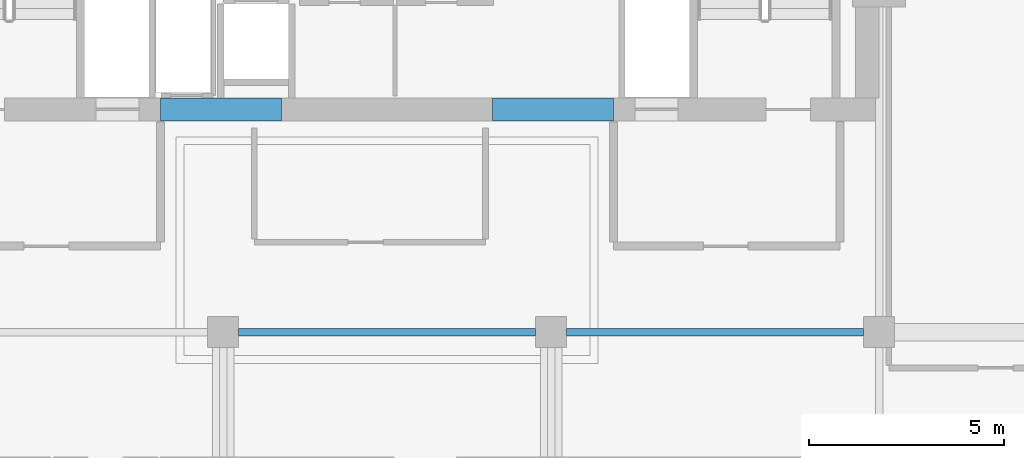
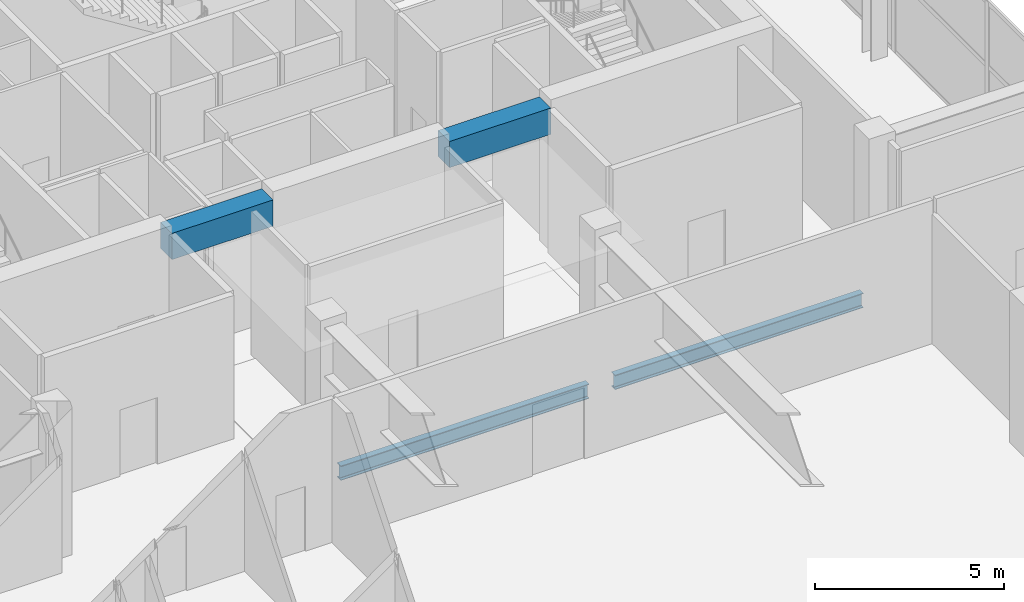
# One storey, part 9 of 22: 4 beams.
"""IFC4 building model written with IfcOpenShell, lengths in metres."""

from ifc_helpers import new_model, si_unit, direction, frame, origin, origin_2d, place, context, subcontext, project, spatial, rectangle, i_section, extrude, material, material_profile, profile_set, type_object, element, save


model = new_model("IFC4")

# Units and contexts
model_context = context("Model", 3, precision=1e-05, world=origin(), true_north=direction((0.0, 1.0)))
body_context = subcontext(model_context, "Body", "Model", "MODEL_VIEW")
ifc_project = project(units=[si_unit("LENGTHUNIT", "METRE"), si_unit("AREAUNIT", "SQUARE_METRE"), si_unit("VOLUMEUNIT", "CUBIC_METRE"), si_unit("PLANEANGLEUNIT", "RADIAN"), si_unit("MASSUNIT", "GRAM", prefix="KILO")], contexts=[model_context])

# Site, building, storey
site_placement = place(None, origin())
site = spatial("IfcSite", under=ifc_project, at=site_placement, CompositionType="ELEMENT")
building_placement = place(site_placement, origin())
building = spatial("IfcBuilding", under=site, at=building_placement, Name="Maruvema Waterfront Hotel and Observation Tower", CompositionType="ELEMENT")
storey_placement = place(building_placement, frame((0.0, 0.0, 354.199951171875)))
storey = spatial("IfcBuildingStorey", under=building, at=storey_placement, Name="L87", CompositionType="ELEMENT", Elevation=354.199951171875)

# Beams
ifc_material_1 = material(Name="Concrete C60/75", Category="concrete")
ifc_material_profile_1 = material_profile(ifc_material_1, rectangle(XDim=0.60009765625, YDim=0.85009765625, at=origin_2d()), Name="CB600x850")
ifc_profile_set_1 = profile_set([ifc_material_profile_1], Name="Concrete C60/75")
beam_type_1 = type_object("IfcBeamType", Name="Core Coupling Lintel Beam CB600x850", PredefinedType="LINTEL", material=ifc_profile_set_1)
for number, where, z_axis, x_axis, name in (
    (1, (32.0, 41.699951171875, 4.215087890625), (1.0, 0.0, 0.0), (0.0, 1.0, 0.0), "L87 Core Coupling Lintel Beam West"),
    (2, (40.5, 41.699951171875, 4.215087890625), (1.0, 0.0, 0.0), (0.0, 1.0, 0.0), "L87 Core Coupling Lintel Beam East"),
):
    element("IfcBeam", number, at=place(storey_placement, frame(where, z_axis=z_axis, x_axis=x_axis)), inside=storey, type_object=beam_type_1, Name=name, PredefinedType="LINTEL", context=body_context, shape_type="SweptSolid", body=[
        extrude(rectangle(XDim=0.60009765625, YDim=0.85009765625, at=origin_2d()), origin(), (0.0, 0.0, 1.0), 3.10009765625),
    ])
ifc_material_2 = material(Name="Steel ASTM A572 Grade 50", Category="steel")
ifc_material_profile_2 = material_profile(ifc_material_2, i_section(OverallWidth=0.194091796875, OverallDepth=0.468994140625, WebThickness=0.0126953125, FlangeThickness=0.0205078125, FilletRadius=0.014892578125, at=origin_2d()), Name="W460x106.0")
ifc_profile_set_2 = profile_set([ifc_material_profile_2], Name="Steel ASTM A572 Grade 50")
beam_type_2 = type_object("IfcBeamType", Name="Primary Floor Girder W460x106.0", PredefinedType="BEAM", material=ifc_profile_set_2)
for number, where, z_axis, x_axis, name in (
    (3, (34.0, 36.0, -0.494384765625), (1.0, 0.0, 0.0), (0.0, 1.0, 0.0), "L87 Floor Girder EW-06"),
    (4, (42.39990234375, 36.0, -0.494384765625), (1.0, 0.0, 0.0), (0.0, 1.0, 0.0), "L87 Floor Girder EW-07"),
):
    element("IfcBeam", number, at=place(storey_placement, frame(where, z_axis=z_axis, x_axis=x_axis)), inside=storey, type_object=beam_type_2, Name=name, PredefinedType="BEAM", context=body_context, shape_type="SweptSolid", body=[
        extrude(i_section(OverallWidth=0.194091796875, OverallDepth=0.468994140625, WebThickness=0.0126953125, FlangeThickness=0.0205078125, FilletRadius=0.014892578125, at=origin_2d()), origin(), (0.0, 0.0, 1.0), 7.60009765625),
    ])

save(model, "model.ifc")
